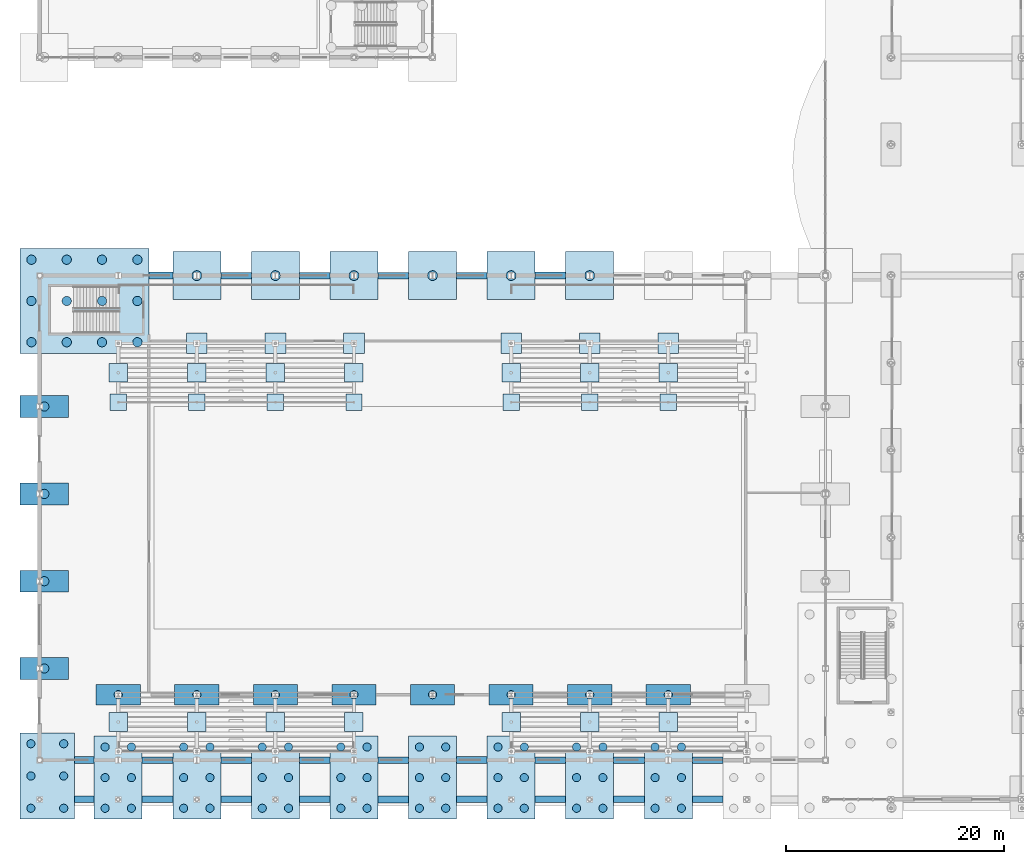
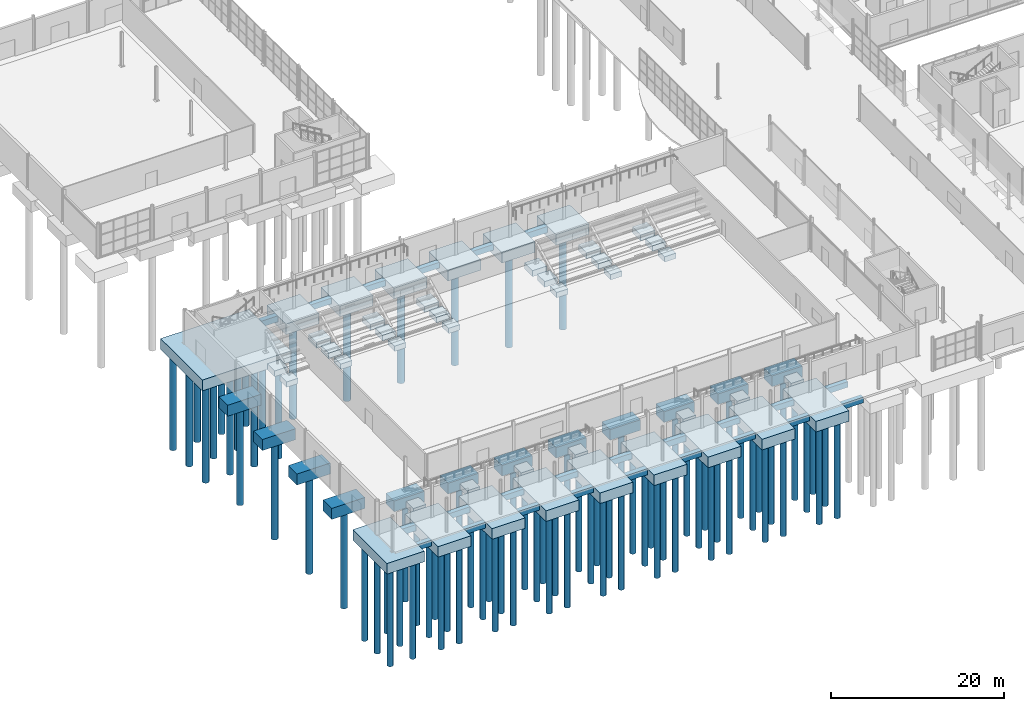
# One storey, part 1 of 101: 84 piles, 79 footings.
"""IFC4 building model written with IfcOpenShell, lengths in metres."""

from ifc_helpers import new_model, si_unit, derived_unit, direction, frame, origin, origin_2d, place, context, subcontext, project, spatial, rectangle, circle, extrude, material, material_profile, profile_set, type_object, element, save


model = new_model("IFC4")

# Units and contexts
model_context = context("Model", 3, precision=1e-05, world=origin(), true_north=direction((0.0, 1.0)))
body_context = subcontext(model_context, "Body", "Model", "MODEL_VIEW")
ifc_project = project(units=[si_unit("LENGTHUNIT", "METRE"), si_unit("AREAUNIT", "SQUARE_METRE"), si_unit("VOLUMEUNIT", "CUBIC_METRE"), si_unit("PLANEANGLEUNIT", "RADIAN"), si_unit("MASSUNIT", "GRAM", prefix="KILO"), derived_unit("THERMALTRANSMITTANCEUNIT", [(si_unit("POWERUNIT", "WATT"), 1), (si_unit("LENGTHUNIT", "METRE"), -2), (si_unit("THERMODYNAMICTEMPERATUREUNIT", "KELVIN"), -1)])], contexts=[model_context])

# Site, building, storey
site_placement = place(None, origin())
site = spatial("IfcSite", under=ifc_project, at=site_placement, CompositionType="ELEMENT")
building_placement = place(site_placement, origin())
building = spatial("IfcBuilding", under=site, at=building_placement, Name="Keldorne Ridge Multi-Sports Centre", CompositionType="ELEMENT")
storey_placement = place(building_placement, origin())
storey = spatial("IfcBuildingStorey", under=building, at=storey_placement, Name="L00", CompositionType="ELEMENT", Elevation=0.0)

# Footings
ifc_material = material(Name="Concrete C35/45", Category="concrete")
ifc_material_profile_1 = material_profile(ifc_material, rectangle(XDim=0.60009765625, YDim=0.800048828125, at=origin_2d()), Name="GB 600x800")
ifc_profile_set_1 = profile_set([ifc_material_profile_1], Name="Concrete C35/45")
footing_type_1 = type_object("IfcFootingType", Name="FTG-GB01", PredefinedType="FOOTING_BEAM", material=ifc_profile_set_1)
footing_1_placement = place(storey_placement, frame((9.199951171875, 6.0, -0.64990234375), z_axis=(1.0, 0.0, 0.0), x_axis=(0.0, 1.0, 0.0)))
element("IfcFooting", 1, at=footing_1_placement, inside=storey, type_object=footing_type_1, Name="Ground tie beam GB-001", PredefinedType="FOOTING_BEAM", context=body_context, shape_type="SweptSolid", body=[
    extrude(rectangle(XDim=0.60009765625, YDim=0.800048828125, at=origin_2d()), origin(), (0.0, 0.0, 1.0), 1.800048828125),
])
footing_2_placement = place(storey_placement, frame((15.39990234375, 6.0, -0.64990234375), z_axis=(1.0, 0.0, 0.0), x_axis=(0.0, 1.0, 0.0)))
element("IfcFooting", 2, at=footing_2_placement, inside=storey, type_object=footing_type_1, Name="Ground tie beam GB-002", PredefinedType="FOOTING_BEAM", context=body_context, shape_type="SweptSolid", body=[
    extrude(rectangle(XDim=0.60009765625, YDim=0.800048828125, at=origin_2d()), origin(), (0.0, 0.0, 1.0), 2.800048828125),
])
footing_3_placement = place(storey_placement, frame((22.60009765625, 6.0, -0.64990234375), z_axis=(1.0, 0.0, 0.0), x_axis=(0.0, 1.0, 0.0)))
element("IfcFooting", 3, at=footing_3_placement, inside=storey, type_object=footing_type_1, Name="Ground tie beam GB-003", PredefinedType="FOOTING_BEAM", context=body_context, shape_type="SweptSolid", body=[
    extrude(rectangle(XDim=0.60009765625, YDim=0.800048828125, at=origin_2d()), origin(), (0.0, 0.0, 1.0), 2.7998046875),
])
for number, where, z_axis, x_axis, name in (
    (4, (29.800048828125, 6.0, -0.64990234375), (1.0, 0.0, 0.0), (0.0, 1.0, 0.0), "Ground tie beam GB-004"),
    (5, (44.199951171875, 6.0, -0.64990234375), (1.0, 0.0, 0.0), (0.0, 1.0, 0.0), "Ground tie beam GB-006"),
    (6, (51.39990234375, 6.0, -0.64990234375), (1.0, 0.0, 0.0), (0.0, 1.0, 0.0), "Ground tie beam GB-007"),
):
    element("IfcFooting", number, at=place(storey_placement, frame(where, z_axis=z_axis, x_axis=x_axis)), inside=storey, type_object=footing_type_1, Name=name, PredefinedType="FOOTING_BEAM", context=body_context, shape_type="SweptSolid", body=[
        extrude(rectangle(XDim=0.60009765625, YDim=0.800048828125, at=origin_2d()), origin(), (0.0, 0.0, 1.0), 2.800048828125),
    ])
footing_4_placement = place(storey_placement, frame((58.60009765625, 6.0, -0.64990234375), z_axis=(1.0, 0.0, 0.0), x_axis=(0.0, 1.0, 0.0)))
element("IfcFooting", 7, at=footing_4_placement, inside=storey, type_object=footing_type_1, Name="Ground tie beam GB-008", PredefinedType="FOOTING_BEAM", context=body_context, shape_type="SweptSolid", body=[
    extrude(rectangle(XDim=0.60009765625, YDim=0.800048828125, at=origin_2d()), origin(), (0.0, 0.0, 1.0), 2.7998046875),
])
for number, where, z_axis, x_axis, name in (
    (8, (65.800048828125, 6.0, -0.64990234375), (1.0, 0.0, 0.0), (0.0, 1.0, 0.0), "Ground tie beam GB-009"),
    (9, (15.39990234375, 9.60009765625, -0.64990234375), (1.0, 0.0, 0.0), (0.0, 1.0, 0.0), "Ground tie beam GB-021"),
):
    element("IfcFooting", number, at=place(storey_placement, frame(where, z_axis=z_axis, x_axis=x_axis)), inside=storey, type_object=footing_type_1, Name=name, PredefinedType="FOOTING_BEAM", context=body_context, shape_type="SweptSolid", body=[
        extrude(rectangle(XDim=0.60009765625, YDim=0.800048828125, at=origin_2d()), origin(), (0.0, 0.0, 1.0), 2.800048828125),
    ])
footing_5_placement = place(storey_placement, frame((22.60009765625, 9.60009765625, -0.64990234375), z_axis=(1.0, 0.0, 0.0), x_axis=(0.0, 1.0, 0.0)))
element("IfcFooting", 10, at=footing_5_placement, inside=storey, type_object=footing_type_1, Name="Ground tie beam GB-022", PredefinedType="FOOTING_BEAM", context=body_context, shape_type="SweptSolid", body=[
    extrude(rectangle(XDim=0.60009765625, YDim=0.800048828125, at=origin_2d()), origin(), (0.0, 0.0, 1.0), 2.7998046875),
])
for number, where, z_axis, x_axis, name in (
    (11, (29.800048828125, 9.60009765625, -0.64990234375), (1.0, 0.0, 0.0), (0.0, 1.0, 0.0), "Ground tie beam GB-023"),
    (12, (37.0, 9.60009765625, -0.64990234375), (1.0, 0.0, 0.0), (0.0, 1.0, 0.0), "Ground tie beam GB-024"),
    (13, (51.39990234375, 9.60009765625, -0.64990234375), (1.0, 0.0, 0.0), (0.0, 1.0, 0.0), "Ground tie beam GB-026"),
):
    element("IfcFooting", number, at=place(storey_placement, frame(where, z_axis=z_axis, x_axis=x_axis)), inside=storey, type_object=footing_type_1, Name=name, PredefinedType="FOOTING_BEAM", context=body_context, shape_type="SweptSolid", body=[
        extrude(rectangle(XDim=0.60009765625, YDim=0.800048828125, at=origin_2d()), origin(), (0.0, 0.0, 1.0), 2.800048828125),
    ])
footing_6_placement = place(storey_placement, frame((58.60009765625, 9.60009765625, -0.64990234375), z_axis=(1.0, 0.0, 0.0), x_axis=(0.0, 1.0, 0.0)))
element("IfcFooting", 14, at=footing_6_placement, inside=storey, type_object=footing_type_1, Name="Ground tie beam GB-027", PredefinedType="FOOTING_BEAM", context=body_context, shape_type="SweptSolid", body=[
    extrude(rectangle(XDim=0.60009765625, YDim=0.800048828125, at=origin_2d()), origin(), (0.0, 0.0, 1.0), 2.7998046875),
])
footing_7_placement = place(storey_placement, frame((65.800048828125, 9.60009765625, -0.64990234375), z_axis=(1.0, 0.0, 0.0), x_axis=(0.0, 1.0, 0.0)))
element("IfcFooting", 15, at=footing_7_placement, inside=storey, type_object=footing_type_1, Name="Ground tie beam GB-028", PredefinedType="FOOTING_BEAM", context=body_context, shape_type="SweptSolid", body=[
    extrude(rectangle(XDim=0.60009765625, YDim=0.800048828125, at=origin_2d()), origin(), (0.0, 0.0, 1.0), 2.800048828125),
])
footing_8_placement = place(storey_placement, frame((22.60009765625, 54.0, -0.64990234375), z_axis=(1.0, 0.0, 0.0), x_axis=(0.0, 1.0, 0.0)))
element("IfcFooting", 16, at=footing_8_placement, inside=storey, type_object=footing_type_1, Name="Ground tie beam GB-031", PredefinedType="FOOTING_BEAM", context=body_context, shape_type="SweptSolid", body=[
    extrude(rectangle(XDim=0.60009765625, YDim=0.800048828125, at=origin_2d()), origin(), (0.0, 0.0, 1.0), 2.7998046875),
])
for number, where, z_axis, x_axis, name in (
    (17, (29.800048828125, 54.0, -0.64990234375), (1.0, 0.0, 0.0), (0.0, 1.0, 0.0), "Ground tie beam GB-032"),
    (18, (37.0, 54.0, -0.64990234375), (1.0, 0.0, 0.0), (0.0, 1.0, 0.0), "Ground tie beam GB-033"),
    (19, (44.199951171875, 54.0, -0.64990234375), (1.0, 0.0, 0.0), (0.0, 1.0, 0.0), "Ground tie beam GB-034"),
):
    element("IfcFooting", number, at=place(storey_placement, frame(where, z_axis=z_axis, x_axis=x_axis)), inside=storey, type_object=footing_type_1, Name=name, PredefinedType="FOOTING_BEAM", context=body_context, shape_type="SweptSolid", body=[
        extrude(rectangle(XDim=0.60009765625, YDim=0.800048828125, at=origin_2d()), origin(), (0.0, 0.0, 1.0), 2.800048828125),
    ])
ifc_material_profile_2 = material_profile(ifc_material, rectangle(XDim=0.64990234375, YDim=0.85009765625, at=origin_2d()), Name="GB 650x850")
ifc_profile_set_2 = profile_set([ifc_material_profile_2], Name="Concrete C35/45")
footing_type_2 = type_object("IfcFootingType", Name="FTG-GB03", PredefinedType="FOOTING_BEAM", material=ifc_profile_set_2)
footing_9_placement = place(storey_placement, frame((37.0, 6.0, -0.64990234375), z_axis=(1.0, 0.0, 0.0), x_axis=(0.0, 1.0, 0.0)))
element("IfcFooting", 20, at=footing_9_placement, inside=storey, type_object=footing_type_2, Name="Ground tie beam GB-005", PredefinedType="FOOTING_BEAM", context=body_context, shape_type="SweptSolid", body=[
    extrude(rectangle(XDim=0.64990234375, YDim=0.85009765625, at=origin_2d()), origin(), (0.0, 0.0, 1.0), 2.800048828125),
])
footing_10_placement = place(storey_placement, frame((9.199951171875, 9.60009765625, -0.64990234375), z_axis=(1.0, 0.0, 0.0), x_axis=(0.0, 1.0, 0.0)))
element("IfcFooting", 21, at=footing_10_placement, inside=storey, type_object=footing_type_2, Name="Ground tie beam GB-020", PredefinedType="FOOTING_BEAM", context=body_context, shape_type="SweptSolid", body=[
    extrude(rectangle(XDim=0.64990234375, YDim=0.85009765625, at=origin_2d()), origin(), (0.0, 0.0, 1.0), 1.800048828125),
])
footing_11_placement = place(storey_placement, frame((44.199951171875, 9.60009765625, -0.64990234375), z_axis=(1.0, 0.0, 0.0), x_axis=(0.0, 1.0, 0.0)))
element("IfcFooting", 22, at=footing_11_placement, inside=storey, type_object=footing_type_2, Name="Ground tie beam GB-025", PredefinedType="FOOTING_BEAM", context=body_context, shape_type="SweptSolid", body=[
    extrude(rectangle(XDim=0.64990234375, YDim=0.85009765625, at=origin_2d()), origin(), (0.0, 0.0, 1.0), 2.800048828125),
])
footing_12_placement = place(storey_placement, frame((16.0, 54.0, -0.64990234375), z_axis=(1.0, 0.0, 0.0), x_axis=(0.0, 1.0, 0.0)))
element("IfcFooting", 23, at=footing_12_placement, inside=storey, type_object=footing_type_2, Name="Ground tie beam GB-030", PredefinedType="FOOTING_BEAM", context=body_context, shape_type="SweptSolid", body=[
    extrude(rectangle(XDim=0.64990234375, YDim=0.85009765625, at=origin_2d()), origin(), (0.0, 0.0, 1.0), 2.199951171875),
])
footing_13_placement = place(storey_placement, frame((51.39990234375, 54.0, -0.64990234375), z_axis=(1.0, 0.0, 0.0), x_axis=(0.0, 1.0, 0.0)))
element("IfcFooting", 24, at=footing_13_placement, inside=storey, type_object=footing_type_2, Name="Ground tie beam GB-035", PredefinedType="FOOTING_BEAM", context=body_context, shape_type="SweptSolid", body=[
    extrude(rectangle(XDim=0.64990234375, YDim=0.85009765625, at=origin_2d()), origin(), (0.0, 0.0, 1.0), 2.800048828125),
])
footing_type_3 = type_object("IfcFootingType", Name="FTG-PC-02", PredefinedType="PILE_CAP", material=ifc_material)
for number, where, z_axis, x_axis, name in (
    (25, (13.199951171875, 15.60009765625, -1.75), (0.0, 0.0, 1.0), (1.0, 0.0, 0.0), "Foundation FTG-V1-MEZZ-02"),
    (26, (20.39990234375, 15.60009765625, -1.75), (0.0, 0.0, 1.0), (1.0, 0.0, 0.0), "Foundation FTG-V1-MEZZ-03"),
    (27, (27.60009765625, 15.60009765625, -1.75), (0.0, 0.0, 1.0), (1.0, 0.0, 0.0), "Foundation FTG-V1-MEZZ-04"),
    (28, (34.800048828125, 15.60009765625, -1.75), (0.0, 0.0, 1.0), (1.0, 0.0, 0.0), "Foundation FTG-V1-MEZZ-05"),
    (29, (42.0, 15.60009765625, -1.75), (0.0, 0.0, 1.0), (1.0, 0.0, 0.0), "Foundation FTG-V1-MEZZ-06"),
    (30, (49.199951171875, 15.60009765625, -1.75), (0.0, 0.0, 1.0), (1.0, 0.0, 0.0), "Foundation FTG-V1-MEZZ-07"),
    (31, (56.39990234375, 15.60009765625, -1.75), (0.0, 0.0, 1.0), (1.0, 0.0, 0.0), "Foundation FTG-V1-MEZZ-08"),
    (32, (63.60009765625, 15.60009765625, -1.75), (0.0, 0.0, 1.0), (1.0, 0.0, 0.0), "Foundation FTG-V1-MEZZ-09"),
):
    element("IfcFooting", number, at=place(storey_placement, frame(where, z_axis=z_axis, x_axis=x_axis)), inside=storey, type_object=footing_type_3, Name=name, PredefinedType="PILE_CAP", context=body_context, shape_type="SweptSolid", body=[
        extrude(rectangle(XDim=4.050048828125, YDim=1.89990234375, at=origin_2d()), origin(), (0.0, 0.0, 1.0), 1.5),
    ])
footing_type_4 = type_object("IfcFootingType", Name="FTG-PC-04", PredefinedType="PILE_CAP", material=ifc_material)
for number, where, z_axis, x_axis, name in (
    (33, (6.425048828125, 18.0, -1.7998046875), (0.0, 0.0, 1.0), (1.0, 0.0, 0.0), "Foundation FTG-V1-GABLE-W-01"),
    (34, (6.425048828125, 26.0, -1.7998046875), (0.0, 0.0, 1.0), (1.0, 0.0, 0.0), "Foundation FTG-V1-GABLE-W-02"),
    (35, (6.425048828125, 34.0, -1.7998046875), (0.0, 0.0, 1.0), (1.0, 0.0, 0.0), "Foundation FTG-V1-GABLE-W-03"),
    (36, (6.425048828125, 42.0, -1.7998046875), (0.0, 0.0, 1.0), (1.0, 0.0, 0.0), "Foundation FTG-V1-GABLE-W-04"),
):
    element("IfcFooting", number, at=place(storey_placement, frame(where, z_axis=z_axis, x_axis=x_axis)), inside=storey, type_object=footing_type_4, Name=name, PredefinedType="PILE_CAP", context=body_context, shape_type="SweptSolid", body=[
        extrude(rectangle(XDim=4.449951171875, YDim=2.0, at=origin_2d()), origin(), (0.0, 0.0, 1.0), 1.550048828125),
    ])
footing_type_5 = type_object("IfcFootingType", Name="FTG-PC-05", PredefinedType="PILE_CAP", material=ifc_material)
for number, where, z_axis, x_axis, name in (
    (37, (20.39990234375, 54.0, -1.75), (0.0, 0.0, 1.0), (1.0, 0.0, 0.0), "Foundation FTG-V1-HALL-N-03"),
    (38, (27.60009765625, 54.0, -1.75), (0.0, 0.0, 1.0), (1.0, 0.0, 0.0), "Foundation FTG-V1-HALL-N-04"),
    (39, (34.800048828125, 54.0, -1.75), (0.0, 0.0, 1.0), (1.0, 0.0, 0.0), "Foundation FTG-V1-HALL-N-05"),
    (40, (42.0, 54.0, -1.75), (0.0, 0.0, 1.0), (1.0, 0.0, 0.0), "Foundation FTG-V1-HALL-N-06"),
    (41, (49.199951171875, 54.0, -1.75), (0.0, 0.0, 1.0), (1.0, 0.0, 0.0), "Foundation FTG-V1-HALL-N-07"),
    (42, (56.39990234375, 54.0, -1.75), (0.0, 0.0, 1.0), (1.0, 0.0, 0.0), "Foundation FTG-V1-HALL-N-08"),
):
    element("IfcFooting", number, at=place(storey_placement, frame(where, z_axis=z_axis, x_axis=x_axis)), inside=storey, type_object=footing_type_5, Name=name, PredefinedType="PILE_CAP", context=body_context, shape_type="SweptSolid", body=[
        extrude(rectangle(XDim=4.39990234375, YDim=4.39990234375, at=origin_2d()), origin(), (0.0, 0.0, 1.0), 1.5),
    ])
footing_type_6 = type_object("IfcFootingType", Name="FTG-PCC-1180X965", PredefinedType="PILE_CAP", material=ifc_material)
footing_14_placement = place(storey_placement, frame((10.10009765625, 51.675048828125, -1.77001953125), z_axis=(0.0, 0.0, 1.0), x_axis=(1.0, 0.0, 0.0)))
element("IfcFooting", 43, at=footing_14_placement, inside=storey, type_object=footing_type_6, Name="Foundation FTG-STR-ST-09", PredefinedType="PILE_CAP", context=body_context, shape_type="SweptSolid", body=[
    extrude(rectangle(XDim=11.800048828125, YDim=9.64990234375, at=origin_2d()), origin(), (0.0, 0.0, 1.0), 1.52001953125),
])
footing_type_7 = type_object("IfcFootingType", Name="FTG-PCC-440X760", PredefinedType="PILE_CAP", material=ifc_material)
for number, where, z_axis, x_axis, name in (
    (44, (13.199951171875, 8.0, -1.75), (0.0, 0.0, 1.0), (1.0, 0.0, 0.0), "Foundation FTG-V1-COLN-02"),
    (45, (20.39990234375, 8.0, -1.75), (0.0, 0.0, 1.0), (1.0, 0.0, 0.0), "Foundation FTG-V1-COLN-03"),
    (46, (27.60009765625, 8.0, -1.75), (0.0, 0.0, 1.0), (1.0, 0.0, 0.0), "Foundation FTG-V1-COLN-04"),
    (47, (34.800048828125, 8.0, -1.75), (0.0, 0.0, 1.0), (1.0, 0.0, 0.0), "Foundation FTG-V1-COLN-05"),
    (48, (42.0, 8.0, -1.75), (0.0, 0.0, 1.0), (1.0, 0.0, 0.0), "Foundation FTG-V1-COLN-06"),
    (49, (49.199951171875, 8.0, -1.75), (0.0, 0.0, 1.0), (1.0, 0.0, 0.0), "Foundation FTG-V1-COLN-07"),
    (50, (56.39990234375, 8.0, -1.75), (0.0, 0.0, 1.0), (1.0, 0.0, 0.0), "Foundation FTG-V1-COLN-08"),
    (51, (63.60009765625, 8.0, -1.75), (0.0, 0.0, 1.0), (1.0, 0.0, 0.0), "Foundation FTG-V1-COLN-09"),
):
    element("IfcFooting", number, at=place(storey_placement, frame(where, z_axis=z_axis, x_axis=x_axis)), inside=storey, type_object=footing_type_7, Name=name, PredefinedType="PILE_CAP", context=body_context, shape_type="SweptSolid", body=[
        extrude(rectangle(XDim=4.39990234375, YDim=7.60009765625, at=origin_2d()), origin(), (0.0, 0.0, 1.0), 1.5),
    ])
footing_type_8 = type_object("IfcFootingType", Name="FTG-PCC-500X790", PredefinedType="PILE_CAP", material=ifc_material)
footing_15_placement = place(storey_placement, frame((6.699951171875, 8.14990234375, -1.75), z_axis=(0.0, 0.0, 1.0), x_axis=(1.0, 0.0, 0.0)))
element("IfcFooting", 52, at=footing_15_placement, inside=storey, type_object=footing_type_8, Name="Foundation FTG-V1-COLN-01", PredefinedType="PILE_CAP", context=body_context, shape_type="SweptSolid", body=[
    extrude(rectangle(XDim=5.0, YDim=7.89990234375, at=origin_2d()), origin(), (0.0, 0.0, 1.0), 1.5),
])
footing_type_9 = type_object("IfcFootingType", Name="FTG-PF-03", PredefinedType="PAD_FOOTING", material=ifc_material)
for number, where, z_axis, x_axis, name in (
    (53, (20.39990234375, 47.800048828125, -1.10009765625), (0.0, 0.0, 1.0), (1.0, 0.0, 0.0), "Foundation FTG-V1-STDCOL-NORTH-02"),
    (54, (27.60009765625, 47.800048828125, -1.10009765625), (0.0, 0.0, 1.0), (1.0, 0.0, 0.0), "Foundation FTG-V1-STDCOL-NORTH-03"),
    (55, (34.800048828125, 47.800048828125, -1.10009765625), (0.0, 0.0, 1.0), (1.0, 0.0, 0.0), "Foundation FTG-V1-STDCOL-NORTH-04"),
    (56, (49.199951171875, 47.800048828125, -1.10009765625), (0.0, 0.0, 1.0), (1.0, 0.0, 0.0), "Foundation FTG-V1-STDCOL-NORTH-05"),
    (57, (56.39990234375, 47.800048828125, -1.10009765625), (0.0, 0.0, 1.0), (1.0, 0.0, 0.0), "Foundation FTG-V1-STDCOL-NORTH-06"),
    (58, (63.60009765625, 47.800048828125, -1.10009765625), (0.0, 0.0, 1.0), (1.0, 0.0, 0.0), "Foundation FTG-V1-STDCOL-NORTH-07"),
):
    element("IfcFooting", number, at=place(storey_placement, frame(where, z_axis=z_axis, x_axis=x_axis)), inside=storey, type_object=footing_type_9, Name=name, PredefinedType="PAD_FOOTING", context=body_context, shape_type="SweptSolid", body=[
        extrude(rectangle(XDim=1.89990234375, YDim=1.89990234375, at=origin_2d()), origin(), (0.0, 0.0, 1.0), 0.85009765625),
    ])
footing_type_10 = type_object("IfcFootingType", Name="FTG-PF-04", PredefinedType="PAD_FOOTING", material=ifc_material)
for number, where, z_axis, x_axis, name in (
    (59, (13.199951171875, 42.39990234375, -1.0), (0.0, 0.0, 1.0), (1.0, 0.0, 0.0), "Foundation FTG-V1-STDFRT-NORTH-01"),
    (60, (20.39990234375, 42.39990234375, -1.0), (0.0, 0.0, 1.0), (1.0, 0.0, 0.0), "Foundation FTG-V1-STDFRT-NORTH-02"),
    (61, (27.60009765625, 42.39990234375, -1.0), (0.0, 0.0, 1.0), (1.0, 0.0, 0.0), "Foundation FTG-V1-STDFRT-NORTH-03"),
    (62, (34.800048828125, 42.39990234375, -1.0), (0.0, 0.0, 1.0), (1.0, 0.0, 0.0), "Foundation FTG-V1-STDFRT-NORTH-04"),
    (63, (49.199951171875, 42.39990234375, -1.0), (0.0, 0.0, 1.0), (1.0, 0.0, 0.0), "Foundation FTG-V1-STDFRT-NORTH-05"),
    (64, (56.39990234375, 42.39990234375, -1.0), (0.0, 0.0, 1.0), (1.0, 0.0, 0.0), "Foundation FTG-V1-STDFRT-NORTH-06"),
    (65, (63.60009765625, 42.39990234375, -1.0), (0.0, 0.0, 1.0), (1.0, 0.0, 0.0), "Foundation FTG-V1-STDFRT-NORTH-07"),
):
    element("IfcFooting", number, at=place(storey_placement, frame(where, z_axis=z_axis, x_axis=x_axis)), inside=storey, type_object=footing_type_10, Name=name, PredefinedType="PAD_FOOTING", context=body_context, shape_type="SweptSolid", body=[
        extrude(rectangle(XDim=1.5, YDim=1.5, at=origin_2d()), origin(), (0.0, 0.0, 1.0), 0.75),
    ])
footing_type_11 = type_object("IfcFootingType", Name="FTG-PF-05", PredefinedType="PAD_FOOTING", material=ifc_material)
for number, where, z_axis, x_axis, name in (
    (66, (13.199951171875, 13.10009765625, -1.0498046875), (0.0, 0.0, 1.0), (1.0, 0.0, 0.0), "Foundation FTG-V1-STDMID-SOUTH-01"),
    (67, (20.39990234375, 13.10009765625, -1.0498046875), (0.0, 0.0, 1.0), (1.0, 0.0, 0.0), "Foundation FTG-V1-STDMID-SOUTH-02"),
    (68, (27.60009765625, 13.10009765625, -1.0498046875), (0.0, 0.0, 1.0), (1.0, 0.0, 0.0), "Foundation FTG-V1-STDMID-SOUTH-03"),
    (69, (34.800048828125, 13.10009765625, -1.0498046875), (0.0, 0.0, 1.0), (1.0, 0.0, 0.0), "Foundation FTG-V1-STDMID-SOUTH-04"),
    (70, (49.199951171875, 13.10009765625, -1.0498046875), (0.0, 0.0, 1.0), (1.0, 0.0, 0.0), "Foundation FTG-V1-STDMID-SOUTH-05"),
    (71, (56.39990234375, 13.10009765625, -1.0498046875), (0.0, 0.0, 1.0), (1.0, 0.0, 0.0), "Foundation FTG-V1-STDMID-SOUTH-06"),
    (72, (63.60009765625, 13.10009765625, -1.0498046875), (0.0, 0.0, 1.0), (1.0, 0.0, 0.0), "Foundation FTG-V1-STDMID-SOUTH-07"),
    (73, (13.199951171875, 45.10009765625, -1.0498046875), (0.0, 0.0, 1.0), (1.0, 0.0, 0.0), "Foundation FTG-V1-STDMID-NORTH-01"),
    (74, (20.39990234375, 45.10009765625, -1.0498046875), (0.0, 0.0, 1.0), (1.0, 0.0, 0.0), "Foundation FTG-V1-STDMID-NORTH-02"),
    (75, (27.60009765625, 45.10009765625, -1.0498046875), (0.0, 0.0, 1.0), (1.0, 0.0, 0.0), "Foundation FTG-V1-STDMID-NORTH-03"),
    (76, (34.800048828125, 45.10009765625, -1.0498046875), (0.0, 0.0, 1.0), (1.0, 0.0, 0.0), "Foundation FTG-V1-STDMID-NORTH-04"),
    (77, (49.199951171875, 45.10009765625, -1.0498046875), (0.0, 0.0, 1.0), (1.0, 0.0, 0.0), "Foundation FTG-V1-STDMID-NORTH-05"),
    (78, (56.39990234375, 45.10009765625, -1.0498046875), (0.0, 0.0, 1.0), (1.0, 0.0, 0.0), "Foundation FTG-V1-STDMID-NORTH-06"),
    (79, (63.60009765625, 45.10009765625, -1.0498046875), (0.0, 0.0, 1.0), (1.0, 0.0, 0.0), "Foundation FTG-V1-STDMID-NORTH-07"),
):
    element("IfcFooting", number, at=place(storey_placement, frame(where, z_axis=z_axis, x_axis=x_axis)), inside=storey, type_object=footing_type_11, Name=name, PredefinedType="PAD_FOOTING", context=body_context, shape_type="SweptSolid", body=[
        extrude(rectangle(XDim=1.699951171875, YDim=1.699951171875, at=origin_2d()), origin(), (0.0, 0.0, 1.0), 0.800048828125),
    ])

# Piles
ifc_material_profile_3 = material_profile(ifc_material, circle(Radius=0.375, at=origin_2d()), Name="BORED PILE D750")
ifc_profile_set_3 = profile_set([ifc_material_profile_3], Name="Concrete C35/45")
pile_type_1 = type_object("IfcPileType", Name="PILE-BP01", PredefinedType="BORED", material=ifc_profile_set_3)
for number, where, z_axis, x_axis, name in (
    (80, (5.195068359375, 5.195068359375, -1.60009765625), (0.0, 0.0, -1.0), (1.0, 0.0, 0.0), "Bored pile P-0121"),
    (81, (5.195068359375, 8.14990234375, -1.60009765625), (0.0, 0.0, -1.0), (1.0, 0.0, 0.0), "Bored pile P-0122"),
    (82, (5.195068359375, 11.10498046875, -1.60009765625), (0.0, 0.0, -1.0), (1.0, 0.0, 0.0), "Bored pile P-0123"),
    (83, (8.205078125, 5.195068359375, -1.60009765625), (0.0, 0.0, -1.0), (1.0, 0.0, 0.0), "Bored pile P-0124"),
    (84, (8.205078125, 8.14990234375, -1.60009765625), (0.0, 0.0, -1.0), (1.0, 0.0, 0.0), "Bored pile P-0125"),
    (85, (8.205078125, 11.10498046875, -1.60009765625), (0.0, 0.0, -1.0), (1.0, 0.0, 0.0), "Bored pile P-0126"),
    (86, (11.9951171875, 5.195068359375, -1.60009765625), (0.0, 0.0, -1.0), (1.0, 0.0, 0.0), "Bored pile P-0127"),
    (87, (11.9951171875, 8.0, -1.60009765625), (0.0, 0.0, -1.0), (1.0, 0.0, 0.0), "Bored pile P-0128"),
    (88, (11.9951171875, 10.804931640625, -1.60009765625), (0.0, 0.0, -1.0), (1.0, 0.0, 0.0), "Bored pile P-0129"),
    (89, (14.405029296875, 5.195068359375, -1.60009765625), (0.0, 0.0, -1.0), (1.0, 0.0, 0.0), "Bored pile P-0130"),
    (90, (14.405029296875, 8.0, -1.60009765625), (0.0, 0.0, -1.0), (1.0, 0.0, 0.0), "Bored pile P-0131"),
    (91, (14.405029296875, 10.804931640625, -1.60009765625), (0.0, 0.0, -1.0), (1.0, 0.0, 0.0), "Bored pile P-0132"),
    (92, (19.195068359375, 5.195068359375, -1.60009765625), (0.0, 0.0, -1.0), (1.0, 0.0, 0.0), "Bored pile P-0133"),
    (93, (19.195068359375, 8.0, -1.60009765625), (0.0, 0.0, -1.0), (1.0, 0.0, 0.0), "Bored pile P-0134"),
    (94, (19.195068359375, 10.804931640625, -1.60009765625), (0.0, 0.0, -1.0), (1.0, 0.0, 0.0), "Bored pile P-0135"),
    (95, (21.60498046875, 5.195068359375, -1.60009765625), (0.0, 0.0, -1.0), (1.0, 0.0, 0.0), "Bored pile P-0136"),
    (96, (21.60498046875, 8.0, -1.60009765625), (0.0, 0.0, -1.0), (1.0, 0.0, 0.0), "Bored pile P-0137"),
    (97, (21.60498046875, 10.804931640625, -1.60009765625), (0.0, 0.0, -1.0), (1.0, 0.0, 0.0), "Bored pile P-0138"),
    (98, (26.39501953125, 5.195068359375, -1.60009765625), (0.0, 0.0, -1.0), (1.0, 0.0, 0.0), "Bored pile P-0140"),
    (99, (26.39501953125, 8.0, -1.60009765625), (0.0, 0.0, -1.0), (1.0, 0.0, 0.0), "Bored pile P-0141"),
    (100, (26.39501953125, 10.804931640625, -1.60009765625), (0.0, 0.0, -1.0), (1.0, 0.0, 0.0), "Bored pile P-0142"),
    (101, (28.804931640625, 5.195068359375, -1.60009765625), (0.0, 0.0, -1.0), (1.0, 0.0, 0.0), "Bored pile P-0143"),
    (102, (28.804931640625, 8.0, -1.60009765625), (0.0, 0.0, -1.0), (1.0, 0.0, 0.0), "Bored pile P-0144"),
    (103, (28.804931640625, 10.804931640625, -1.60009765625), (0.0, 0.0, -1.0), (1.0, 0.0, 0.0), "Bored pile P-0145"),
    (104, (33.594970703125, 5.195068359375, -1.60009765625), (0.0, 0.0, -1.0), (1.0, 0.0, 0.0), "Bored pile P-0147"),
    (105, (33.594970703125, 8.0, -1.60009765625), (0.0, 0.0, -1.0), (1.0, 0.0, 0.0), "Bored pile P-0148"),
    (106, (33.594970703125, 10.804931640625, -1.60009765625), (0.0, 0.0, -1.0), (1.0, 0.0, 0.0), "Bored pile P-0149"),
    (107, (36.0048828125, 5.195068359375, -1.60009765625), (0.0, 0.0, -1.0), (1.0, 0.0, 0.0), "Bored pile P-0150"),
    (108, (36.0048828125, 8.0, -1.60009765625), (0.0, 0.0, -1.0), (1.0, 0.0, 0.0), "Bored pile P-0151"),
    (109, (36.0048828125, 10.804931640625, -1.60009765625), (0.0, 0.0, -1.0), (1.0, 0.0, 0.0), "Bored pile P-0152"),
    (110, (40.794921875, 5.195068359375, -1.60009765625), (0.0, 0.0, -1.0), (1.0, 0.0, 0.0), "Bored pile P-0154"),
    (111, (40.794921875, 8.0, -1.60009765625), (0.0, 0.0, -1.0), (1.0, 0.0, 0.0), "Bored pile P-0155"),
    (112, (40.794921875, 10.804931640625, -1.60009765625), (0.0, 0.0, -1.0), (1.0, 0.0, 0.0), "Bored pile P-0156"),
    (113, (43.205078125, 5.195068359375, -1.60009765625), (0.0, 0.0, -1.0), (1.0, 0.0, 0.0), "Bored pile P-0157"),
    (114, (43.205078125, 8.0, -1.60009765625), (0.0, 0.0, -1.0), (1.0, 0.0, 0.0), "Bored pile P-0158"),
    (115, (43.205078125, 10.804931640625, -1.60009765625), (0.0, 0.0, -1.0), (1.0, 0.0, 0.0), "Bored pile P-0159"),
    (116, (47.9951171875, 5.195068359375, -1.60009765625), (0.0, 0.0, -1.0), (1.0, 0.0, 0.0), "Bored pile P-0161"),
    (117, (47.9951171875, 8.0, -1.60009765625), (0.0, 0.0, -1.0), (1.0, 0.0, 0.0), "Bored pile P-0162"),
    (118, (47.9951171875, 10.804931640625, -1.60009765625), (0.0, 0.0, -1.0), (1.0, 0.0, 0.0), "Bored pile P-0163"),
    (119, (50.405029296875, 5.195068359375, -1.60009765625), (0.0, 0.0, -1.0), (1.0, 0.0, 0.0), "Bored pile P-0164"),
    (120, (50.405029296875, 8.0, -1.60009765625), (0.0, 0.0, -1.0), (1.0, 0.0, 0.0), "Bored pile P-0165"),
    (121, (50.405029296875, 10.804931640625, -1.60009765625), (0.0, 0.0, -1.0), (1.0, 0.0, 0.0), "Bored pile P-0166"),
    (122, (55.195068359375, 5.195068359375, -1.60009765625), (0.0, 0.0, -1.0), (1.0, 0.0, 0.0), "Bored pile P-0168"),
    (123, (55.195068359375, 8.0, -1.60009765625), (0.0, 0.0, -1.0), (1.0, 0.0, 0.0), "Bored pile P-0169"),
    (124, (55.195068359375, 10.804931640625, -1.60009765625), (0.0, 0.0, -1.0), (1.0, 0.0, 0.0), "Bored pile P-0170"),
    (125, (57.60498046875, 5.195068359375, -1.60009765625), (0.0, 0.0, -1.0), (1.0, 0.0, 0.0), "Bored pile P-0171"),
    (126, (57.60498046875, 8.0, -1.60009765625), (0.0, 0.0, -1.0), (1.0, 0.0, 0.0), "Bored pile P-0172"),
    (127, (57.60498046875, 10.804931640625, -1.60009765625), (0.0, 0.0, -1.0), (1.0, 0.0, 0.0), "Bored pile P-0173"),
    (128, (62.39501953125, 5.195068359375, -1.60009765625), (0.0, 0.0, -1.0), (1.0, 0.0, 0.0), "Bored pile P-0175"),
    (129, (62.39501953125, 8.0, -1.60009765625), (0.0, 0.0, -1.0), (1.0, 0.0, 0.0), "Bored pile P-0176"),
    (130, (62.39501953125, 10.804931640625, -1.60009765625), (0.0, 0.0, -1.0), (1.0, 0.0, 0.0), "Bored pile P-0177"),
    (131, (64.804931640625, 5.195068359375, -1.60009765625), (0.0, 0.0, -1.0), (1.0, 0.0, 0.0), "Bored pile P-0178"),
    (132, (64.804931640625, 8.0, -1.60009765625), (0.0, 0.0, -1.0), (1.0, 0.0, 0.0), "Bored pile P-0179"),
    (133, (64.804931640625, 10.804931640625, -1.60009765625), (0.0, 0.0, -1.0), (1.0, 0.0, 0.0), "Bored pile P-0180"),
    (134, (13.199951171875, 15.60009765625, -1.60009765625), (0.0, 0.0, -1.0), (1.0, 0.0, 0.0), "Bored pile P-0197"),
    (135, (20.39990234375, 15.60009765625, -1.60009765625), (0.0, 0.0, -1.0), (1.0, 0.0, 0.0), "Bored pile P-0198"),
    (136, (27.60009765625, 15.60009765625, -1.60009765625), (0.0, 0.0, -1.0), (1.0, 0.0, 0.0), "Bored pile P-0199"),
    (137, (34.800048828125, 15.60009765625, -1.60009765625), (0.0, 0.0, -1.0), (1.0, 0.0, 0.0), "Bored pile P-0200"),
    (138, (42.0, 15.60009765625, -1.60009765625), (0.0, 0.0, -1.0), (1.0, 0.0, 0.0), "Bored pile P-0201"),
    (139, (49.199951171875, 15.60009765625, -1.60009765625), (0.0, 0.0, -1.0), (1.0, 0.0, 0.0), "Bored pile P-0202"),
    (140, (56.39990234375, 15.60009765625, -1.60009765625), (0.0, 0.0, -1.0), (1.0, 0.0, 0.0), "Bored pile P-0203"),
    (141, (63.60009765625, 15.60009765625, -1.60009765625), (0.0, 0.0, -1.0), (1.0, 0.0, 0.0), "Bored pile P-0204"),
):
    element("IfcPile", number, at=place(storey_placement, frame(where, z_axis=z_axis, x_axis=x_axis)), inside=storey, type_object=pile_type_1, Name=name, PredefinedType="BORED", context=body_context, shape_type="SweptSolid", body=[
        extrude(circle(Radius=0.375, at=origin_2d()), origin(), (0.0, 0.0, 1.0), 13.89990234375),
    ])
ifc_material_profile_4 = material_profile(ifc_material, circle(Radius=0.425048828125, at=origin_2d()), Name="BORED PILE D850")
ifc_profile_set_4 = profile_set([ifc_material_profile_4], Name="Concrete C35/45")
pile_type_2 = type_object("IfcPileType", Name="PILE-BP02", PredefinedType="BORED", material=ifc_profile_set_4)
for number, where, z_axis, x_axis, name in (
    (142, (5.2451171875, 47.89501953125, -1.6201171875), (0.0, 0.0, -1.0), (1.0, 0.0, 0.0), "Bored pile P-0101"),
    (143, (5.2451171875, 51.675048828125, -1.6201171875), (0.0, 0.0, -1.0), (1.0, 0.0, 0.0), "Bored pile P-0102"),
    (144, (5.2451171875, 55.455078125, -1.6201171875), (0.0, 0.0, -1.0), (1.0, 0.0, 0.0), "Bored pile P-0103"),
    (145, (8.481689453125, 47.89501953125, -1.6201171875), (0.0, 0.0, -1.0), (1.0, 0.0, 0.0), "Bored pile P-0104"),
    (146, (8.481689453125, 51.675048828125, -1.6201171875), (0.0, 0.0, -1.0), (1.0, 0.0, 0.0), "Bored pile P-0105"),
    (147, (8.481689453125, 55.455078125, -1.6201171875), (0.0, 0.0, -1.0), (1.0, 0.0, 0.0), "Bored pile P-0106"),
    (148, (11.71826171875, 47.89501953125, -1.6201171875), (0.0, 0.0, -1.0), (1.0, 0.0, 0.0), "Bored pile P-0107"),
    (149, (11.71826171875, 51.675048828125, -1.6201171875), (0.0, 0.0, -1.0), (1.0, 0.0, 0.0), "Bored pile P-0108"),
    (150, (11.71826171875, 55.455078125, -1.6201171875), (0.0, 0.0, -1.0), (1.0, 0.0, 0.0), "Bored pile P-0109"),
    (151, (14.955078125, 47.89501953125, -1.6201171875), (0.0, 0.0, -1.0), (1.0, 0.0, 0.0), "Bored pile P-0110"),
    (152, (14.955078125, 51.675048828125, -1.6201171875), (0.0, 0.0, -1.0), (1.0, 0.0, 0.0), "Bored pile P-0111"),
    (153, (14.955078125, 55.455078125, -1.6201171875), (0.0, 0.0, -1.0), (1.0, 0.0, 0.0), "Bored pile P-0112"),
):
    element("IfcPile", number, at=place(storey_placement, frame(where, z_axis=z_axis, x_axis=x_axis)), inside=storey, type_object=pile_type_2, Name=name, PredefinedType="BORED", context=body_context, shape_type="SweptSolid", body=[
        extrude(circle(Radius=0.425048828125, at=origin_2d()), origin(), (0.0, 0.0, 1.0), 13.8798828125),
    ])
for number, where, z_axis, x_axis, name in (
    (154, (6.425048828125, 18.0, -1.64990234375), (0.0, 0.0, -1.0), (1.0, 0.0, 0.0), "Bored pile P-0190"),
    (155, (6.425048828125, 26.0, -1.64990234375), (0.0, 0.0, -1.0), (1.0, 0.0, 0.0), "Bored pile P-0191"),
    (156, (6.425048828125, 34.0, -1.64990234375), (0.0, 0.0, -1.0), (1.0, 0.0, 0.0), "Bored pile P-0192"),
    (157, (6.425048828125, 42.0, -1.64990234375), (0.0, 0.0, -1.0), (1.0, 0.0, 0.0), "Bored pile P-0193"),
):
    element("IfcPile", number, at=place(storey_placement, frame(where, z_axis=z_axis, x_axis=x_axis)), inside=storey, type_object=pile_type_2, Name=name, PredefinedType="BORED", context=body_context, shape_type="SweptSolid", body=[
        extrude(circle(Radius=0.425048828125, at=origin_2d()), origin(), (0.0, 0.0, 1.0), 13.85009765625),
    ])
ifc_material_profile_5 = material_profile(ifc_material, circle(Radius=0.449951171875, at=origin_2d()), Name="BORED PILE D900")
ifc_profile_set_5 = profile_set([ifc_material_profile_5], Name="Concrete C35/45")
pile_type_3 = type_object("IfcPileType", Name="PILE-BP03", PredefinedType="BORED", material=ifc_profile_set_5)
for number, where, z_axis, x_axis, name in (
    (158, (20.39990234375, 54.0, -1.60009765625), (0.0, 0.0, -1.0), (1.0, 0.0, 0.0), "Bored pile P-0139"),
    (159, (27.60009765625, 54.0, -1.60009765625), (0.0, 0.0, -1.0), (1.0, 0.0, 0.0), "Bored pile P-0146"),
    (160, (34.800048828125, 54.0, -1.60009765625), (0.0, 0.0, -1.0), (1.0, 0.0, 0.0), "Bored pile P-0153"),
    (161, (42.0, 54.0, -1.60009765625), (0.0, 0.0, -1.0), (1.0, 0.0, 0.0), "Bored pile P-0160"),
    (162, (49.199951171875, 54.0, -1.60009765625), (0.0, 0.0, -1.0), (1.0, 0.0, 0.0), "Bored pile P-0167"),
    (163, (56.39990234375, 54.0, -1.60009765625), (0.0, 0.0, -1.0), (1.0, 0.0, 0.0), "Bored pile P-0174"),
):
    element("IfcPile", number, at=place(storey_placement, frame(where, z_axis=z_axis, x_axis=x_axis)), inside=storey, type_object=pile_type_3, Name=name, PredefinedType="BORED", context=body_context, shape_type="SweptSolid", body=[
        extrude(circle(Radius=0.449951171875, at=origin_2d()), origin(), (0.0, 0.0, 1.0), 13.89990234375),
    ])

save(model, "model.ifc")
